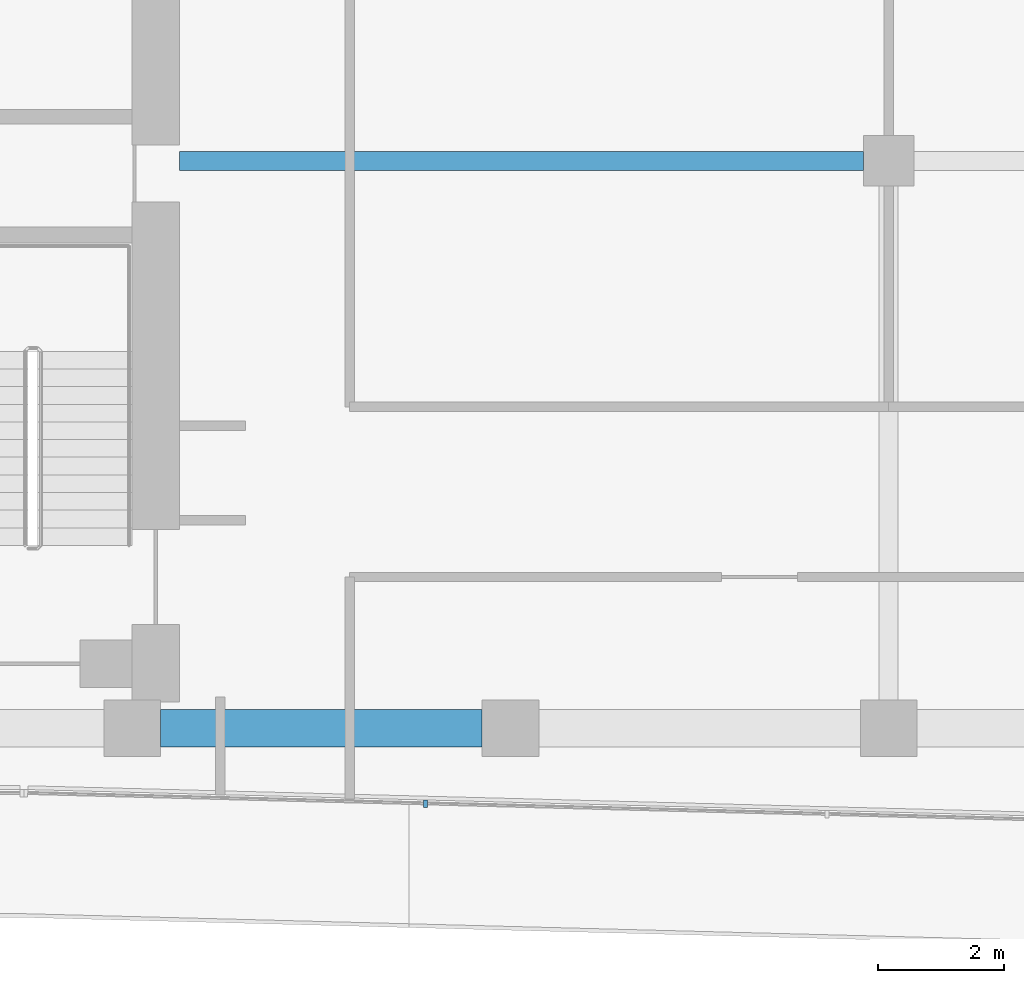
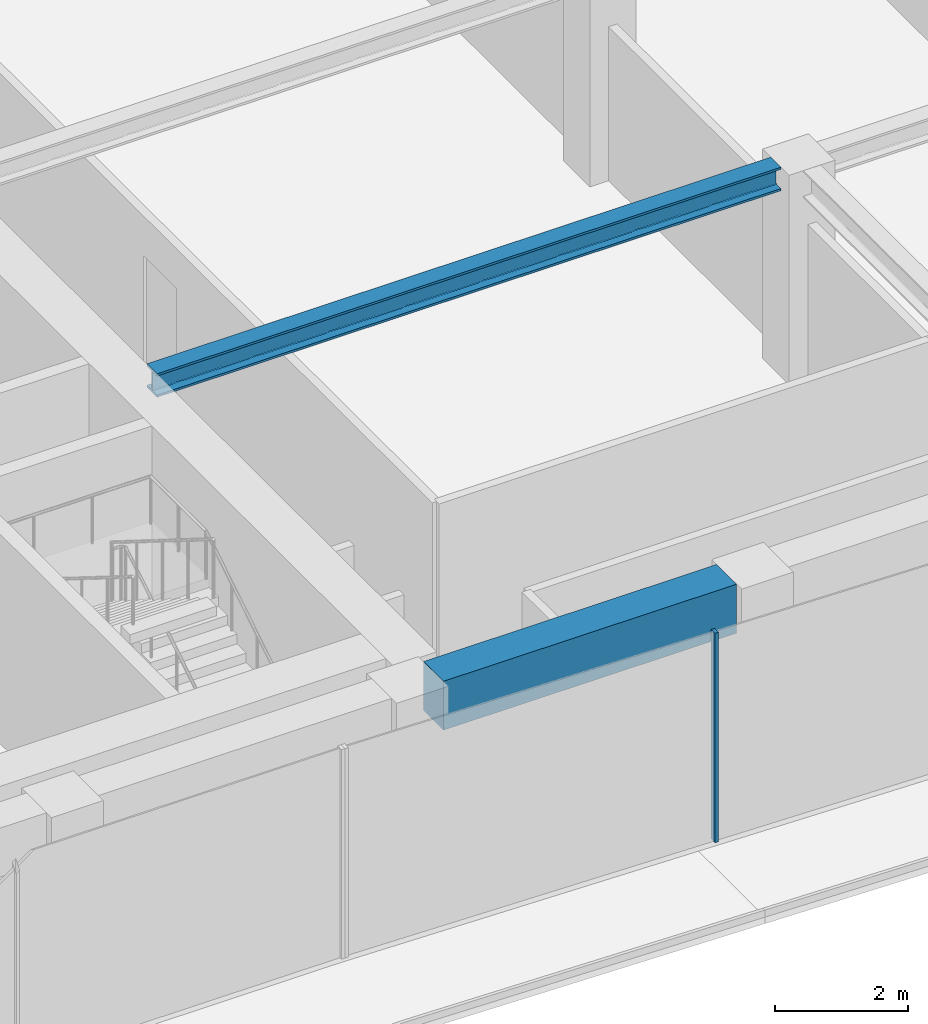
# One storey, part 3 of 23: 2 beams, 1 member, 1 element without a shape of its own.
"""IFC4 building model written with IfcOpenShell, lengths in metres."""

from ifc_helpers import new_model, si_unit, direction, frame, origin, origin_2d, place, context, subcontext, project, spatial, rectangle, i_section, extrude, material, layer, layer_set, material_profile, profile_set, type_object, element, aggregate, save


model = new_model("IFC4")

# Units and contexts
model_context = context("Model", 3, precision=1e-05, world=origin(), true_north=direction((0.0, 1.0)))
body_context = subcontext(model_context, "Body", "Model", "MODEL_VIEW")
ifc_project = project(units=[si_unit("LENGTHUNIT", "METRE"), si_unit("AREAUNIT", "SQUARE_METRE"), si_unit("VOLUMEUNIT", "CUBIC_METRE"), si_unit("PLANEANGLEUNIT", "RADIAN"), si_unit("MASSUNIT", "GRAM", prefix="KILO")], contexts=[model_context])

# Site, building, storey
site_placement = place(None, origin())
site = spatial("IfcSite", under=ifc_project, at=site_placement, CompositionType="ELEMENT")
building_placement = place(site_placement, origin())
building = spatial("IfcBuilding", under=site, at=building_placement, Name="Welwitschia Terrace Campus", CompositionType="ELEMENT")
storey_placement = place(building_placement, frame((0.0, 0.0, 117.199951171875)))
storey = spatial("IfcBuildingStorey", under=building, at=storey_placement, Name="L26", CompositionType="ELEMENT", Elevation=117.199951171875)

# Beam
ifc_material_1 = material(Name="Steel S355", Category="steel")
ifc_material_profile_1 = material_profile(ifc_material_1, i_section(OverallWidth=0.306884765625, OverallDepth=0.431884765625, WebThickness=0.02099609375, FlangeThickness=0.0400390625, FilletRadius=0.027099609375, at=origin_2d()))
ifc_profile_set_1 = profile_set([ifc_material_profile_1], Name="Steel S355")
beam_type_1 = type_object("IfcBeamType", Name="Interior girder HE 400 M", PredefinedType="BEAM", material=ifc_profile_set_1)
beam_1_placement = place(storey_placement, frame((24.7509765625, 13.0, 3.634033203125), z_axis=(1.0, 0.0, 0.0), x_axis=(0.0, 1.0, 0.0)))
element("IfcBeam", 1, at=beam_1_placement, inside=storey, type_object=beam_type_1, Name="Girder GB3", PredefinedType="BEAM", context=body_context, shape_type="SweptSolid", body=[
    extrude(i_section(OverallWidth=0.306884765625, OverallDepth=0.431884765625, WebThickness=0.02099609375, FlangeThickness=0.0400390625, FilletRadius=0.027099609375, at=origin_2d()), origin(), (0.0, 0.0, 1.0), 10.8486328125),
])

# Curtain wall, member
ifc_material_2 = material(Name="Bronze anodised aluminium", Category="aluminium")
ifc_layer = layer(ifc_material_2, 0.1201171875)
ifc_layer_set = layer_set([ifc_layer], Name="Bronze anodised aluminium")
curtain_wall_type = type_object("IfcCurtainWallType", Name="Curtain wall CW2 tower 6000", PredefinedType="NOTDEFINED", material=ifc_layer_set)
curtain_wall_placement = place(storey_placement, origin())
curtain_wall = element("IfcCurtainWall", 2, at=curtain_wall_placement, inside=storey, type_object=curtain_wall_type, Name="CW L26.3.0", PredefinedType="NOTDEFINED")
ifc_material_3 = material(Name="Bronze anodised aluminium", Category="aluminium")
ifc_material_profile_2 = material_profile(ifc_material_3, rectangle(XDim=0.1201171875, YDim=0.06005859375, at=origin_2d()))
ifc_profile_set_2 = profile_set([ifc_material_profile_2], Name="Bronze anodised aluminium")
member_type = type_object("IfcMemberType", Name="Mullion 60x120", PredefinedType="MULLION", material=ifc_profile_set_2)
member_placement = place(storey_placement, frame((28.65234375, 2.80322265625, 0.0), z_axis=(0.0, 0.0, 1.0), x_axis=(0.026176948308, 0.999657324976, 0.0)))
member = element("IfcMember", 3, at=member_placement, type_object=member_type, Name="Mullion L26.3.0.1", PredefinedType="MULLION", context=body_context, shape_type="SweptSolid", body=[
    extrude(rectangle(XDim=0.1201171875, YDim=0.06005859375, at=origin_2d()), origin(), (0.0, 0.0, 1.0), 3.85009765625),
])
aggregate(curtain_wall, [member])

# Beam
ifc_material_4 = material(Name="Concrete C60/75", Category="concrete")
ifc_material_profile_3 = material_profile(ifc_material_4, rectangle(XDim=0.60009765625, YDim=0.89990234375, at=origin_2d()))
ifc_profile_set_3 = profile_set([ifc_material_profile_3], Name="Concrete C60/75")
beam_type_2 = type_object("IfcBeamType", Name="Ring spandrel 600x900", PredefinedType="SPANDREL", material=ifc_profile_set_3)
beam_2_placement = place(storey_placement, frame((24.450439453125, 4.0, 3.400146484375), z_axis=(1.0, 0.0, 0.0), x_axis=(0.0, 1.0, 0.0)))
element("IfcBeam", 4, at=beam_2_placement, inside=storey, type_object=beam_type_2, Name="Spandrel SP2", PredefinedType="SPANDREL", context=body_context, shape_type="SweptSolid", body=[
    extrude(rectangle(XDim=0.60009765625, YDim=0.89990234375, at=origin_2d()), origin(), (0.0, 0.0, 1.0), 5.09912109375),
])

save(model, "model.ifc")
